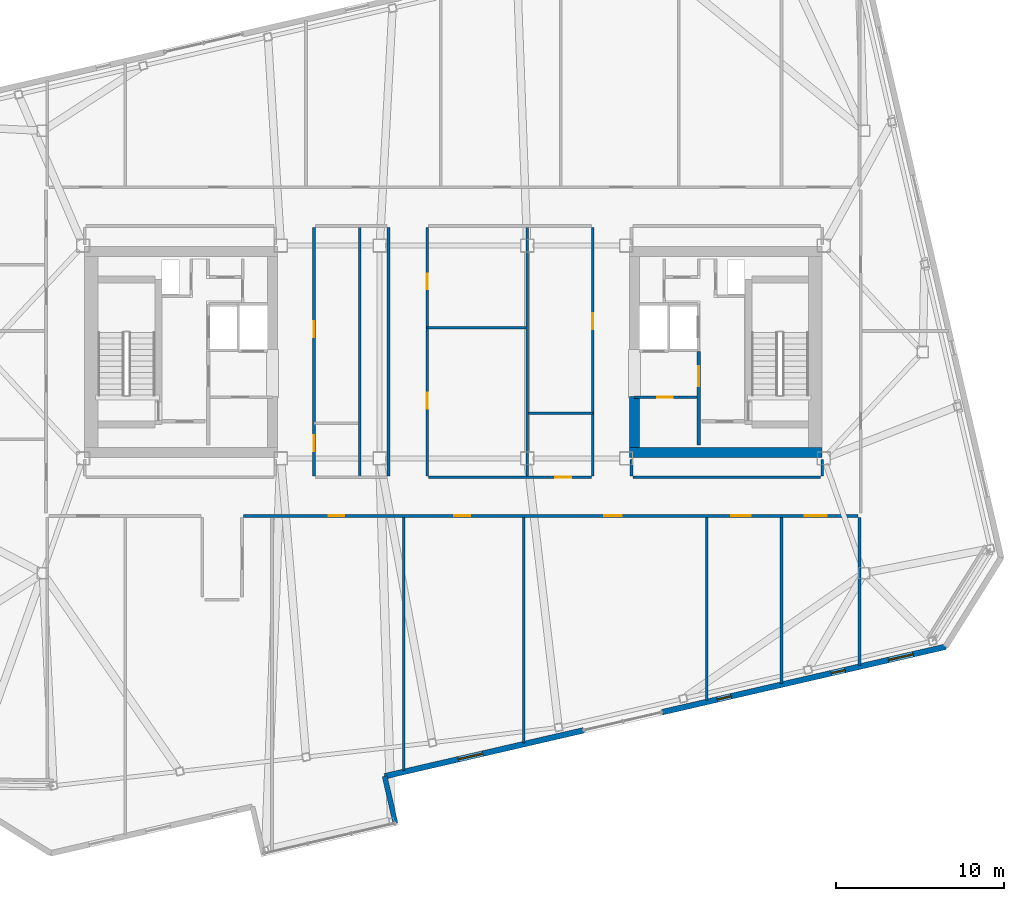
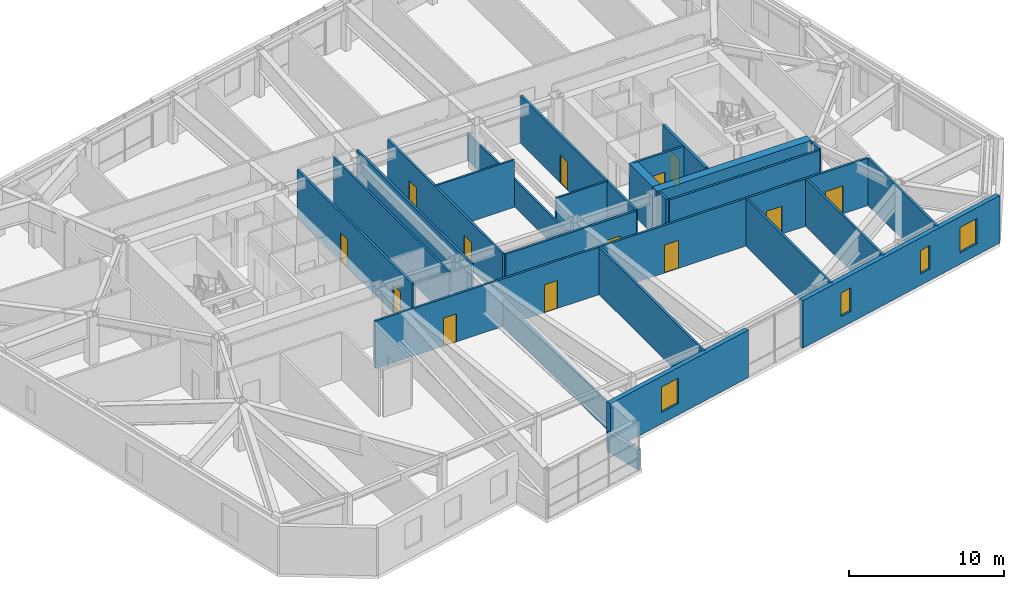
# One storey, part 17 of 23: 25 walls, 13 doors, 4 windows, 17 openings.
"""IFC4 building model written with IfcOpenShell, lengths in metres."""

from ifc_helpers import new_model, si_unit, direction, frame, frame_2d, origin, place, context, subcontext, project, spatial, rectangle, extrude, material, layer, layer_set, type_object, element, fill, save


model = new_model("IFC4")

# Units and contexts
model_context = context("Model", 3, precision=1e-05, world=origin(), true_north=direction((0.0, 1.0)))
body_context = subcontext(model_context, "Body", "Model", "MODEL_VIEW")
ifc_project = project(units=[si_unit("LENGTHUNIT", "METRE"), si_unit("AREAUNIT", "SQUARE_METRE"), si_unit("VOLUMEUNIT", "CUBIC_METRE"), si_unit("PLANEANGLEUNIT", "RADIAN"), si_unit("MASSUNIT", "GRAM", prefix="KILO")], contexts=[model_context])

# Site, building, storey
site_placement = place(None, origin())
site = spatial("IfcSite", under=ifc_project, at=site_placement, CompositionType="ELEMENT")
building_placement = place(site_placement, origin())
building = spatial("IfcBuilding", under=site, at=building_placement, Name="Tavrogorsk Clinical Tower", CompositionType="ELEMENT")
storey_placement = place(building_placement, frame((0.0, 0.0, 277.0)))
storey = spatial("IfcBuildingStorey", under=building, at=storey_placement, Name="L64", CompositionType="ELEMENT", Elevation=277.0)

# Wall, opening, door
ifc_material_1 = material(Name="Concrete B60", Category="concrete")
ifc_layer_1 = layer(ifc_material_1, 0.199951171875)
ifc_layer_set_1 = layer_set([ifc_layer_1], Name="Concrete B60")
wall_type_1 = type_object("IfcWallType", Name="CoreFireWall_200", PredefinedType="SOLIDWALL", material=ifc_layer_set_1)
wall_1_placement = place(storey_placement, frame((14.639892578125, -5.56005859375, 0.0), z_axis=(0.0, 0.0, 1.0), x_axis=(0.0, 1.0, 0.0)))
wall_1 = element("IfcWall", 1, at=wall_1_placement, inside=storey, type_object=wall_type_1, Name="L64 Core East Firefighting Lobby Fire Wall", PredefinedType="SOLIDWALL", context=body_context, shape_type="SweptSolid", body=[
    extrude(rectangle(XDim=5.60009765625, YDim=0.199951171875, at=frame_2d((2.800048828125, 0.0))), origin(), (0.0, 0.0, 1.0), 3.739990234375),
])
opening_1_placement = place(wall_1_placement, frame((3.510009765625, 0.0, 0.0)))
opening_1 = element("IfcOpeningElement", 2, at=opening_1_placement, cuts=wall_1, Name="Opening FD-01", PredefinedType="OPENING", context=body_context, shape_type="SweptSolid", body=[
    extrude(rectangle(XDim=1.199951171875, YDim=2.199951171875, at=frame_2d((0.60009765625, 1.10009765625))), frame((0.0, 0.10986328125, 0.0), z_axis=(0.0, -1.0, 0.0), x_axis=(1.0, 0.0, 0.0)), (0.0, 0.0, 1.0), 0.219970703125),
])
ifc_material_2 = material(Name="Galvanised steel fire-rated door assembly", Category="steel")
door_type_1 = type_object("IfcDoorType", Name="FireDoor_FD01_1200", OperationType="NOTDEFINED", PredefinedType="DOOR", material=ifc_material_2)
door_1_placement = place(opening_1_placement, origin())
door_1 = element("IfcDoor", 3, at=door_1_placement, inside=storey, type_object=door_type_1, Name="L64 Core East Firefighting Lobby Entry Door", OperationType="SINGLE_SWING_RIGHT", OverallHeight=2.199951171875, OverallWidth=1.199951171875, PredefinedType="DOOR", context=body_context, shape_type="SweptSolid", body=[
    extrude(rectangle(XDim=1.199951171875, YDim=2.199951171875, at=frame_2d((0.60009765625, 1.10009765625))), frame((0.0, 0.02490234375, 0.0), z_axis=(0.0, -1.0, 0.0), x_axis=(1.0, 0.0, 0.0)), (0.0, 0.0, 1.0), 0.050048828125),
])
fill(opening_1, door_1)

# Walls
ifc_material_3 = material(Name="Lightweight concrete blockwork B15", Category="masonry")
ifc_layer_2 = layer(ifc_material_3, 0.139892578125)
ifc_layer_set_2 = layer_set([ifc_layer_2], Name="Lightweight concrete blockwork B15")
wall_type_2 = type_object("IfcWallType", Name="PartitionWall_140", PredefinedType="PARTITIONING", material=ifc_layer_set_2)
wall_2_placement = place(storey_placement, frame((-5.60009765625, -7.465087890625, 0.0), z_axis=(0.0, 0.0, 1.0), x_axis=(0.0, 1.0, 0.0)))
element("IfcWall", 4, at=wall_2_placement, inside=storey, type_object=wall_type_2, Name="L64 Central Spine Partition 1", PredefinedType="PARTITIONING", context=body_context, shape_type="SweptSolid", body=[
    extrude(rectangle(XDim=14.97998046875, YDim=0.139892578125, at=frame_2d((7.489990234375, 0.0))), origin(), (0.0, 0.0, 1.0), 3.739990234375),
])
wall_3_placement = place(storey_placement, frame((4.39990234375, -7.465087890625, 0.0), z_axis=(0.0, 0.0, 1.0), x_axis=(0.0, 1.0, 0.0)))
element("IfcWall", 5, at=wall_3_placement, inside=storey, type_object=wall_type_2, Name="L64 Central Spine Partition 2", PredefinedType="PARTITIONING", context=body_context, shape_type="SweptSolid", body=[
    extrude(rectangle(XDim=14.97998046875, YDim=0.139892578125, at=frame_2d((7.489990234375, 0.0))), origin(), (0.0, 0.0, 1.0), 2.135009765625),
])
wall_4_placement = place(storey_placement, frame((-1.56494140625, 1.449951171875, 0.0), z_axis=(0.0, 0.0, 1.0), x_axis=(1.0, 0.0, 0.0)))
element("IfcWall", 6, at=wall_4_placement, inside=storey, type_object=wall_type_2, Name="L64 Central Spine Partition 3", PredefinedType="PARTITIONING", context=body_context, shape_type="SweptSolid", body=[
    extrude(rectangle(XDim=5.889892578125, YDim=0.139892578125, at=frame_2d((2.94482421875, 0.0))), origin(), (0.0, 0.0, 1.0), 3.739990234375),
])
wall_5_placement = place(storey_placement, frame((4.47509765625, -3.64990234375, 0.0), z_axis=(0.0, 0.0, 1.0), x_axis=(1.0, 0.0, 0.0)))
element("IfcWall", 7, at=wall_5_placement, inside=storey, type_object=wall_type_2, Name="L64 Central Spine Partition 5", PredefinedType="PARTITIONING", context=body_context, shape_type="SweptSolid", body=[
    extrude(rectangle(XDim=3.83984375, YDim=0.139892578125, at=frame_2d((1.919921875, 0.0))), origin(), (0.0, 0.0, 1.0), 3.739990234375),
])

# Wall, opening, door
ifc_material_4 = material(Name="Lightweight concrete blockwork B15", Category="masonry")
ifc_layer_3 = layer(ifc_material_4, 0.159912109375)
ifc_layer_set_3 = layer_set([ifc_layer_3], Name="Lightweight concrete blockwork B15")
wall_type_3 = type_object("IfcWallType", Name="PartitionWall_160", PredefinedType="PARTITIONING", material=ifc_layer_set_3)
wall_6_placement = place(storey_placement, frame((10.800048828125, -2.699951171875, 0.0), z_axis=(0.0, 0.0, 1.0), x_axis=(1.0, 0.0, 0.0)))
wall_6 = element("IfcWall", 8, at=wall_6_placement, inside=storey, type_object=wall_type_3, Name="L64 Core East Freed Mid-Bank North Partition", PredefinedType="PARTITIONING", context=body_context, shape_type="SweptSolid", body=[
    extrude(rectangle(XDim=3.73486328125, YDim=0.159912109375, at=frame_2d((1.867431640625, 0.0))), origin(), (0.0, 0.0, 1.0), 3.739990234375),
])
opening_2_placement = place(wall_6_placement, frame((1.35009765625, 0.0, 0.0)))
opening_2 = element("IfcOpeningElement", 9, at=opening_2_placement, cuts=wall_6, Name="Opening ID-02", PredefinedType="OPENING", context=body_context, shape_type="SweptSolid", body=[
    extrude(rectangle(XDim=0.949951171875, YDim=2.199951171875, at=frame_2d((0.47509765625, 1.10009765625))), frame((0.0, 0.08984375, 0.0), z_axis=(0.0, -1.0, 0.0), x_axis=(1.0, 0.0, 0.0)), (0.0, 0.0, 1.0), 0.179931640625),
])
ifc_material_5 = material(Name="Laminated timber leaf on aluminium frame", Category="wood")
door_type_2 = type_object("IfcDoorType", Name="InteriorDoor_ID02_950", OperationType="NOTDEFINED", PredefinedType="DOOR", material=ifc_material_5)
door_2_placement = place(opening_2_placement, origin())
door_2 = element("IfcDoor", 10, at=door_2_placement, inside=storey, type_object=door_type_2, Name="L64 Core East Pharmacy Prep Door", OperationType="SINGLE_SWING_LEFT", OverallHeight=2.199951171875, OverallWidth=0.949951171875, PredefinedType="DOOR", context=body_context, shape_type="SweptSolid", body=[
    extrude(rectangle(XDim=0.949951171875, YDim=2.199951171875, at=frame_2d((0.47509765625, 1.10009765625))), frame((0.0, 0.02490234375, 0.0), z_axis=(0.0, -1.0, 0.0), x_axis=(1.0, 0.0, 0.0)), (0.0, 0.0, 1.0), 0.050048828125),
])
fill(opening_2, door_2)

# Wall, openings, doors
wall_7_placement = place(storey_placement, frame((24.14501953125, -9.780029296875, 0.0), z_axis=(0.0, 0.0, 1.0), x_axis=(-1.0, 0.0, 0.0)))
wall_7 = element("IfcWall", 11, at=wall_7_placement, inside=storey, type_object=wall_type_3, Name="L64 Corridor Partition 04", PredefinedType="PARTITIONING", context=body_context, shape_type="SweptSolid", body=[
    extrude(rectangle(XDim=36.679931640625, YDim=0.159912109375, at=frame_2d((18.33984375, 0.0))), origin(), (0.0, 0.0, 1.0), 3.739990234375),
])
opening_3_placement = place(wall_7_placement, frame((30.646484375, 0.0, 0.0)))
opening_3 = element("IfcOpeningElement", 12, at=opening_3_placement, cuts=wall_7, Name="Opening ID-02", PredefinedType="OPENING", context=body_context, shape_type="SweptSolid", body=[
    extrude(rectangle(XDim=0.949951171875, YDim=2.199951171875, at=frame_2d((0.47509765625, 1.10009765625))), frame((0.0, 0.08984375, 0.0), z_axis=(0.0, -1.0, 0.0), x_axis=(1.0, 0.0, 0.0)), (0.0, 0.0, 1.0), 0.179931640625),
])
opening_4_placement = place(wall_7_placement, frame((23.135986328125, 0.0, 0.0)))
opening_4 = element("IfcOpeningElement", 13, at=opening_4_placement, cuts=wall_7, Name="Opening ID-02", PredefinedType="OPENING", context=body_context, shape_type="SweptSolid", body=[
    extrude(rectangle(XDim=0.949951171875, YDim=2.199951171875, at=frame_2d((0.47509765625, 1.10009765625))), frame((0.0, 0.08984375, 0.0), z_axis=(0.0, -1.0, 0.0), x_axis=(1.0, 0.0, 0.0)), (0.0, 0.0, 1.0), 0.179931640625),
])
opening_5_placement = place(wall_7_placement, frame((14.094970703125, 0.0, 0.0)))
opening_5 = element("IfcOpeningElement", 14, at=opening_5_placement, cuts=wall_7, Name="Opening ID-04", PredefinedType="OPENING", context=body_context, shape_type="SweptSolid", body=[
    extrude(rectangle(XDim=1.050048828125, YDim=2.199951171875, at=frame_2d((0.52490234375, 1.10009765625))), frame((0.0, 0.08984375, 0.0), z_axis=(0.0, -1.0, 0.0), x_axis=(1.0, 0.0, 0.0)), (0.0, 0.0, 1.0), 0.179931640625),
])
opening_6_placement = place(wall_7_placement, frame((6.405029296875, 0.0, 0.0)))
opening_6 = element("IfcOpeningElement", 15, at=opening_6_placement, cuts=wall_7, Name="Opening ID-06", PredefinedType="OPENING", context=body_context, shape_type="SweptSolid", body=[
    extrude(rectangle(XDim=1.14990234375, YDim=2.199951171875, at=frame_2d((0.574951171875, 1.10009765625))), frame((0.0, 0.08984375, 0.0), z_axis=(0.0, -1.0, 0.0), x_axis=(1.0, 0.0, 0.0)), (0.0, 0.0, 1.0), 0.179931640625),
])
opening_7_placement = place(wall_7_placement, frame((1.869140625, 0.0, 0.0)))
opening_7 = element("IfcOpeningElement", 16, at=opening_7_placement, cuts=wall_7, Name="Opening ID-01", PredefinedType="OPENING", context=body_context, shape_type="SweptSolid", body=[
    extrude(rectangle(XDim=1.300048828125, YDim=2.199951171875, at=frame_2d((0.64990234375, 1.10009765625))), frame((0.0, 0.08984375, 0.0), z_axis=(0.0, -1.0, 0.0), x_axis=(1.0, 0.0, 0.0)), (0.0, 0.0, 1.0), 0.179931640625),
])
ifc_material_6 = material(Name="Antibacterial HPL consultation door on aluminium frame", Category="aluminium")
door_type_3 = type_object("IfcDoorType", Name="ConsultDoor_ID04_1050", OperationType="NOTDEFINED", PredefinedType="DOOR", material=ifc_material_6)
door_3_placement = place(opening_5_placement, origin())
door_3 = element("IfcDoor", 17, at=door_3_placement, inside=storey, type_object=door_type_3, Name="L64 South Clinical Case Seminar Room 04 Door", OperationType="SINGLE_SWING_RIGHT", OverallHeight=2.199951171875, OverallWidth=1.050048828125, PredefinedType="DOOR", context=body_context, shape_type="SweptSolid", body=[
    extrude(rectangle(XDim=1.050048828125, YDim=2.199951171875, at=frame_2d((0.52490234375, 1.10009765625))), frame((0.0, 0.02490234375, 0.0), z_axis=(0.0, -1.0, 0.0), x_axis=(1.0, 0.0, 0.0)), (0.0, 0.0, 1.0), 0.050048828125),
])
fill(opening_5, door_3)
door_4_placement = place(opening_3_placement, origin())
door_4 = element("IfcDoor", 18, at=door_4_placement, inside=storey, type_object=door_type_2, Name="L64 South Clean Medication & Prep Room 02B Door", OperationType="SINGLE_SWING_RIGHT", OverallHeight=2.199951171875, OverallWidth=0.949951171875, PredefinedType="DOOR", context=body_context, shape_type="SweptSolid", body=[
    extrude(rectangle(XDim=0.949951171875, YDim=2.199951171875, at=frame_2d((0.47509765625, 1.10009765625))), frame((0.0, 0.02490234375, 0.0), z_axis=(0.0, -1.0, 0.0), x_axis=(1.0, 0.0, 0.0)), (0.0, 0.0, 1.0), 0.050048828125),
])
fill(opening_3, door_4)
door_5_placement = place(opening_4_placement, origin())
door_5 = element("IfcDoor", 19, at=door_5_placement, inside=storey, type_object=door_type_2, Name="L64 South Soiled Utility & Sluice Room 03 Door", OperationType="SINGLE_SWING_LEFT", OverallHeight=2.199951171875, OverallWidth=0.949951171875, PredefinedType="DOOR", context=body_context, shape_type="SweptSolid", body=[
    extrude(rectangle(XDim=0.949951171875, YDim=2.199951171875, at=frame_2d((0.47509765625, 1.10009765625))), frame((0.0, 0.02490234375, 0.0), z_axis=(0.0, -1.0, 0.0), x_axis=(1.0, 0.0, 0.0)), (0.0, 0.0, 1.0), 0.050048828125),
])
fill(opening_4, door_5)
ifc_material_7 = material(Name="Antibacterial HPL procedure door on aluminium frame", Category="aluminium")
door_type_4 = type_object("IfcDoorType", Name="LabDoor_ID06_1150", OperationType="NOTDEFINED", PredefinedType="DOOR", material=ifc_material_7)
door_6_placement = place(opening_6_placement, origin())
door_6 = element("IfcDoor", 20, at=door_6_placement, inside=storey, type_object=door_type_4, Name="L64 South Staff Rest & Nourishment Lounge 05 Door", OperationType="SINGLE_SWING_LEFT", OverallHeight=2.199951171875, OverallWidth=1.14990234375, PredefinedType="DOOR", context=body_context, shape_type="SweptSolid", body=[
    extrude(rectangle(XDim=1.14990234375, YDim=2.199951171875, at=frame_2d((0.574951171875, 1.10009765625))), frame((0.0, 0.02490234375, 0.0), z_axis=(0.0, -1.0, 0.0), x_axis=(1.0, 0.0, 0.0)), (0.0, 0.0, 1.0), 0.050048828125),
])
fill(opening_6, door_6)
ifc_material_8 = material(Name="Antibacterial HPL medical leaf on aluminium frame", Category="aluminium")
door_type_5 = type_object("IfcDoorType", Name="WardBedDoor_ID01_1300", OperationType="NOTDEFINED", PredefinedType="DOOR", material=ifc_material_8)
door_7_placement = place(opening_7_placement, origin())
door_7 = element("IfcDoor", 21, at=door_7_placement, inside=storey, type_object=door_type_5, Name="L64 South Bariatric Observation Ward 06 Door", OperationType="SINGLE_SWING_RIGHT", OverallHeight=2.199951171875, OverallWidth=1.300048828125, PredefinedType="DOOR", context=body_context, shape_type="SweptSolid", body=[
    extrude(rectangle(XDim=1.300048828125, YDim=2.199951171875, at=frame_2d((0.64990234375, 1.10009765625))), frame((0.0, 0.02490234375, 0.0), z_axis=(0.0, -1.0, 0.0), x_axis=(1.0, 0.0, 0.0)), (0.0, 0.0, 1.0), 0.050048828125),
])
fill(opening_7, door_7)

# Walls
wall_8_placement = place(storey_placement, frame((10.6298828125, -6.419921875, 0.0), z_axis=(0.0, 0.0, 1.0), x_axis=(0.0, -1.0, 0.0)))
element("IfcWall", 22, at=wall_8_placement, inside=storey, type_object=wall_type_3, Name="L64 Corridor Partition 11", PredefinedType="PARTITIONING", context=body_context, shape_type="SweptSolid", body=[
    extrude(rectangle(XDim=0.965087890625, YDim=0.159912109375, at=frame_2d((0.482421875, 0.0))), origin(), (0.0, 0.0, 1.0), 3.739990234375),
])
wall_9_placement = place(storey_placement, frame((10.715087890625, -7.469970703125, 0.0), z_axis=(0.0, 0.0, 1.0), x_axis=(1.0, 0.0, 0.0)))
element("IfcWall", 23, at=wall_9_placement, inside=storey, type_object=wall_type_3, Name="L64 Corridor Partition 12", PredefinedType="PARTITIONING", context=body_context, shape_type="SweptSolid", body=[
    extrude(rectangle(XDim=11.199951171875, YDim=0.159912109375, at=frame_2d((5.60009765625, 0.0))), origin(), (0.0, 0.0, 1.0), 3.739990234375),
])
wall_10_placement = place(storey_placement, frame((22.0, -7.385009765625, 0.0), z_axis=(0.0, 0.0, 1.0), x_axis=(0.0, 1.0, 0.0)))
element("IfcWall", 24, at=wall_10_placement, inside=storey, type_object=wall_type_3, Name="L64 Corridor Partition 13", PredefinedType="PARTITIONING", context=body_context, shape_type="SweptSolid", body=[
    extrude(rectangle(XDim=0.965087890625, YDim=0.159912109375, at=frame_2d((0.482421875, 0.0))), origin(), (0.0, 0.0, 1.0), 3.739990234375),
])

# Wall, openings, doors
wall_11_placement = place(storey_placement, frame((-1.570068359375, 7.43505859375, 0.0), z_axis=(0.0, 0.0, 1.0), x_axis=(0.0, -1.0, 0.0)))
wall_11 = element("IfcWall", 25, at=wall_11_placement, inside=storey, type_object=wall_type_3, Name="L64 Corridor Partition 16", PredefinedType="PARTITIONING", context=body_context, shape_type="SweptSolid", body=[
    extrude(rectangle(XDim=14.820068359375, YDim=0.159912109375, at=frame_2d((7.41015625, 0.0))), origin(), (0.0, 0.0, 1.0), 3.739990234375),
])
opening_8_placement = place(wall_11_placement, frame((9.86083984375, 0.0, 0.0)))
opening_8 = element("IfcOpeningElement", 26, at=opening_8_placement, cuts=wall_11, Name="Opening ID-02", PredefinedType="OPENING", context=body_context, shape_type="SweptSolid", body=[
    extrude(rectangle(XDim=0.949951171875, YDim=2.199951171875, at=frame_2d((0.47509765625, 1.10009765625))), frame((0.0, 0.08984375, 0.0), z_axis=(0.0, -1.0, 0.0), x_axis=(1.0, 0.0, 0.0)), (0.0, 0.0, 1.0), 0.179931640625),
])
opening_9_placement = place(wall_11_placement, frame((2.754150390625, 0.0, 0.0)))
opening_9 = element("IfcOpeningElement", 27, at=opening_9_placement, cuts=wall_11, Name="Opening ID-02", PredefinedType="OPENING", context=body_context, shape_type="SweptSolid", body=[
    extrude(rectangle(XDim=0.949951171875, YDim=2.199951171875, at=frame_2d((0.47509765625, 1.10009765625))), frame((0.0, 0.08984375, 0.0), z_axis=(0.0, -1.0, 0.0), x_axis=(1.0, 0.0, 0.0)), (0.0, 0.0, 1.0), 0.179931640625),
])
door_8_placement = place(opening_8_placement, origin())
door_8 = element("IfcDoor", 28, at=door_8_placement, inside=storey, type_object=door_type_2, Name="L64 Multidisciplinary Conference Room Door", OperationType="SINGLE_SWING_LEFT", OverallHeight=2.199951171875, OverallWidth=0.949951171875, PredefinedType="DOOR", context=body_context, shape_type="SweptSolid", body=[
    extrude(rectangle(XDim=0.949951171875, YDim=2.199951171875, at=frame_2d((0.47509765625, 1.10009765625))), frame((0.0, 0.02490234375, 0.0), z_axis=(0.0, -1.0, 0.0), x_axis=(1.0, 0.0, 0.0)), (0.0, 0.0, 1.0), 0.050048828125),
])
fill(opening_8, door_8)
door_9_placement = place(opening_9_placement, origin())
door_9 = element("IfcDoor", 29, at=door_9_placement, inside=storey, type_object=door_type_2, Name="L64 Nurses' Station & Triage Hub Door", OperationType="SINGLE_SWING_RIGHT", OverallHeight=2.199951171875, OverallWidth=0.949951171875, PredefinedType="DOOR", context=body_context, shape_type="SweptSolid", body=[
    extrude(rectangle(XDim=0.949951171875, YDim=2.199951171875, at=frame_2d((0.47509765625, 1.10009765625))), frame((0.0, 0.02490234375, 0.0), z_axis=(0.0, -1.0, 0.0), x_axis=(1.0, 0.0, 0.0)), (0.0, 0.0, 1.0), 0.050048828125),
])
fill(opening_9, door_9)

# Wall, opening, door
wall_12_placement = place(storey_placement, frame((-1.485107421875, -7.469970703125, 0.0), z_axis=(0.0, 0.0, 1.0), x_axis=(1.0, 0.0, 0.0)))
wall_12 = element("IfcWall", 30, at=wall_12_placement, inside=storey, type_object=wall_type_3, Name="L64 Corridor Partition 17", PredefinedType="PARTITIONING", context=body_context, shape_type="SweptSolid", body=[
    extrude(rectangle(XDim=9.72021484375, YDim=0.159912109375, at=frame_2d((4.860107421875, 0.0))), origin(), (0.0, 0.0, 1.0), 3.739990234375),
])
opening_10_placement = place(wall_12_placement, frame((7.560791015625, 0.0, 0.0)))
opening_10 = element("IfcOpeningElement", 31, at=opening_10_placement, cuts=wall_12, Name="Opening ID-02", PredefinedType="OPENING", context=body_context, shape_type="SweptSolid", body=[
    extrude(rectangle(XDim=0.949951171875, YDim=2.199951171875, at=frame_2d((0.47509765625, 1.10009765625))), frame((0.0, 0.08984375, 0.0), z_axis=(0.0, -1.0, 0.0), x_axis=(1.0, 0.0, 0.0)), (0.0, 0.0, 1.0), 0.179931640625),
])
door_10_placement = place(opening_10_placement, origin())
door_10 = element("IfcDoor", 32, at=door_10_placement, inside=storey, type_object=door_type_2, Name="L64 Staff & Visitor Accessible WC Door", OperationType="SINGLE_SWING_LEFT", OverallHeight=2.199951171875, OverallWidth=0.949951171875, PredefinedType="DOOR", context=body_context, shape_type="SweptSolid", body=[
    extrude(rectangle(XDim=0.949951171875, YDim=2.199951171875, at=frame_2d((0.47509765625, 1.10009765625))), frame((0.0, 0.02490234375, 0.0), z_axis=(0.0, -1.0, 0.0), x_axis=(1.0, 0.0, 0.0)), (0.0, 0.0, 1.0), 0.050048828125),
])
fill(opening_10, door_10)

wall_13_placement = place(storey_placement, frame((8.320068359375, -7.385009765625, 0.0), z_axis=(0.0, 0.0, 1.0), x_axis=(0.0, 1.0, 0.0)))
wall_13 = element("IfcWall", 33, at=wall_13_placement, inside=storey, type_object=wall_type_3, Name="L64 Corridor Partition 18", PredefinedType="PARTITIONING", context=body_context, shape_type="SweptSolid", body=[
    extrude(rectangle(XDim=14.820068359375, YDim=0.159912109375, at=frame_2d((7.41015625, 0.0))), origin(), (0.0, 0.0, 1.0), 3.739990234375),
])
opening_11_placement = place(wall_13_placement, frame((8.73583984375, 0.0, 0.0)))
opening_11 = element("IfcOpeningElement", 34, at=opening_11_placement, cuts=wall_13, Name="Opening ID-02", PredefinedType="OPENING", context=body_context, shape_type="SweptSolid", body=[
    extrude(rectangle(XDim=0.949951171875, YDim=2.199951171875, at=frame_2d((0.47509765625, 1.10009765625))), frame((0.0, 0.08984375, 0.0), z_axis=(0.0, -1.0, 0.0), x_axis=(1.0, 0.0, 0.0)), (0.0, 0.0, 1.0), 0.179931640625),
])
door_11_placement = place(opening_11_placement, origin())
door_11 = element("IfcDoor", 35, at=door_11_placement, inside=storey, type_object=door_type_2, Name="L64 Attending Physician Office Door", OperationType="SINGLE_SWING_RIGHT", OverallHeight=2.199951171875, OverallWidth=0.949951171875, PredefinedType="DOOR", context=body_context, shape_type="SweptSolid", body=[
    extrude(rectangle(XDim=0.949951171875, YDim=2.199951171875, at=frame_2d((0.47509765625, 1.10009765625))), frame((0.0, 0.02490234375, 0.0), z_axis=(0.0, -1.0, 0.0), x_axis=(1.0, 0.0, 0.0)), (0.0, 0.0, 1.0), 0.050048828125),
])
fill(opening_11, door_11)

# Wall
wall_14_placement = place(storey_placement, frame((-3.8798828125, -7.385009765625, 0.0), z_axis=(0.0, 0.0, 1.0), x_axis=(0.0, 1.0, 0.0)))
element("IfcWall", 36, at=wall_14_placement, inside=storey, type_object=wall_type_3, Name="L64 Corridor Partition 19", PredefinedType="PARTITIONING", context=body_context, shape_type="SweptSolid", body=[
    extrude(rectangle(XDim=14.820068359375, YDim=0.159912109375, at=frame_2d((7.41015625, 0.0))), origin(), (0.0, 0.0, 1.0), 3.739990234375),
])

# Wall, openings, doors
wall_15_placement = place(storey_placement, frame((-8.320068359375, 7.43505859375, 0.0), z_axis=(0.0, 0.0, 1.0), x_axis=(0.0, -1.0, 0.0)))
wall_15 = element("IfcWall", 37, at=wall_15_placement, inside=storey, type_object=wall_type_3, Name="L64 Corridor Partition 21", PredefinedType="PARTITIONING", context=body_context, shape_type="SweptSolid", body=[
    extrude(rectangle(XDim=14.820068359375, YDim=0.159912109375, at=frame_2d((7.41015625, 0.0))), origin(), (0.0, 0.0, 1.0), 3.739990234375),
])
opening_12_placement = place(wall_15_placement, frame((12.410888671875, 0.0, 0.0)))
opening_12 = element("IfcOpeningElement", 38, at=opening_12_placement, cuts=wall_15, Name="Opening ID-02", PredefinedType="OPENING", context=body_context, shape_type="SweptSolid", body=[
    extrude(rectangle(XDim=0.949951171875, YDim=2.199951171875, at=frame_2d((0.47509765625, 1.10009765625))), frame((0.0, 0.08984375, 0.0), z_axis=(0.0, -1.0, 0.0), x_axis=(1.0, 0.0, 0.0)), (0.0, 0.0, 1.0), 0.179931640625),
])
opening_13_placement = place(wall_15_placement, frame((5.60400390625, 0.0, 0.0)))
opening_13 = element("IfcOpeningElement", 39, at=opening_13_placement, cuts=wall_15, Name="Opening ID-02", PredefinedType="OPENING", context=body_context, shape_type="SweptSolid", body=[
    extrude(rectangle(XDim=0.949951171875, YDim=2.199951171875, at=frame_2d((0.47509765625, 1.10009765625))), frame((0.0, 0.08984375, 0.0), z_axis=(0.0, -1.0, 0.0), x_axis=(1.0, 0.0, 0.0)), (0.0, 0.0, 1.0), 0.179931640625),
])
door_12_placement = place(opening_12_placement, origin())
door_12 = element("IfcDoor", 40, at=door_12_placement, inside=storey, type_object=door_type_2, Name="L64 Accessible Patient Lavatory Door", OperationType="SINGLE_SWING_LEFT", OverallHeight=2.199951171875, OverallWidth=0.949951171875, PredefinedType="DOOR", context=body_context, shape_type="SweptSolid", body=[
    extrude(rectangle(XDim=0.949951171875, YDim=2.199951171875, at=frame_2d((0.47509765625, 1.10009765625))), frame((0.0, 0.02490234375, 0.0), z_axis=(0.0, -1.0, 0.0), x_axis=(1.0, 0.0, 0.0)), (0.0, 0.0, 1.0), 0.050048828125),
])
fill(opening_12, door_12)
door_13_placement = place(opening_13_placement, origin())
door_13 = element("IfcDoor", 41, at=door_13_placement, inside=storey, type_object=door_type_2, Name="L64 Ward Nourishment Pantry Door", OperationType="SINGLE_SWING_RIGHT", OverallHeight=2.199951171875, OverallWidth=0.949951171875, PredefinedType="DOOR", context=body_context, shape_type="SweptSolid", body=[
    extrude(rectangle(XDim=0.949951171875, YDim=2.199951171875, at=frame_2d((0.47509765625, 1.10009765625))), frame((0.0, 0.02490234375, 0.0), z_axis=(0.0, -1.0, 0.0), x_axis=(1.0, 0.0, 0.0)), (0.0, 0.0, 1.0), 0.050048828125),
])
fill(opening_13, door_13)

# Walls
wall_16_placement = place(storey_placement, frame((24.22998046875, -18.702880859375, 0.0), z_axis=(0.0, 0.0, 1.0), x_axis=(0.0, 1.0, 0.0)))
element("IfcWall", 42, at=wall_16_placement, inside=storey, type_object=wall_type_3, Name="L64 SE Wing Closure Partition", PredefinedType="PARTITIONING", context=body_context, shape_type="SweptSolid", body=[
    extrude(rectangle(XDim=8.837890625, YDim=0.159912109375, at=frame_2d((4.4189453125, 0.0))), origin(), (0.0, 0.0, 1.0), 3.739990234375),
])
wall_17_placement = place(storey_placement, frame((-2.9619140625, -24.98046875, 0.0), z_axis=(0.0, 0.0, 1.0), x_axis=(0.0, 1.0, 0.0)))
element("IfcWall", 43, at=wall_17_placement, inside=storey, type_object=wall_type_3, Name="L64 South Room Partition 2", PredefinedType="PARTITIONING", context=body_context, shape_type="SweptSolid", body=[
    extrude(rectangle(XDim=15.115478515625, YDim=0.159912109375, at=frame_2d((7.5576171875, 0.0))), origin(), (0.0, 0.0, 1.0), 2.135009765625),
])
wall_18_placement = place(storey_placement, frame((4.199951171875, -23.3271484375, 0.0), z_axis=(0.0, 0.0, 1.0), x_axis=(0.0, 1.0, 0.0)))
element("IfcWall", 44, at=wall_18_placement, inside=storey, type_object=wall_type_3, Name="L64 South Room Partition 3", PredefinedType="PARTITIONING", context=body_context, shape_type="SweptSolid", body=[
    extrude(rectangle(XDim=13.462158203125, YDim=0.159912109375, at=frame_2d((6.73095703125, 0.0))), origin(), (0.0, 0.0, 1.0), 3.739990234375),
])
wall_19_placement = place(storey_placement, frame((15.1201171875, -20.805908203125, 0.0), z_axis=(0.0, 0.0, 1.0), x_axis=(0.0, 1.0, 0.0)))
element("IfcWall", 45, at=wall_19_placement, inside=storey, type_object=wall_type_3, Name="L64 South Room Partition 4", PredefinedType="PARTITIONING", context=body_context, shape_type="SweptSolid", body=[
    extrude(rectangle(XDim=10.94091796875, YDim=0.159912109375, at=frame_2d((5.470458984375, 0.0))), origin(), (0.0, 0.0, 1.0), 3.739990234375),
])
wall_20_placement = place(storey_placement, frame((19.580078125, -19.7763671875, 0.0), z_axis=(0.0, 0.0, 1.0), x_axis=(0.0, 1.0, 0.0)))
element("IfcWall", 46, at=wall_20_placement, inside=storey, type_object=wall_type_3, Name="L64 South Room Partition 5", PredefinedType="PARTITIONING", context=body_context, shape_type="SweptSolid", body=[
    extrude(rectangle(XDim=9.911376953125, YDim=0.159912109375, at=frame_2d((4.95556640625, 0.0))), origin(), (0.0, 0.0, 1.0), 3.739990234375),
])

# Wall, opening, window
ifc_material_9 = material(Name="Precast concrete B45 with limestone cladding", Category="masonry")
ifc_layer_4 = layer(ifc_material_9, 0.340087890625)
ifc_layer_set_4 = layer_set([ifc_layer_4], Name="Precast concrete B45 with limestone cladding")
wall_type_4 = type_object("IfcWallType", Name="PrecastLimestoneWall_340", PredefinedType="STANDARD", material=ifc_layer_set_4)
wall_21_placement = place(storey_placement, frame((-4.103759765625, -25.31591796875, 0.0), z_axis=(0.0, 0.0, 1.0), x_axis=(0.974372956312, 0.224938529398, 0.0)))
wall_21 = element("IfcWall", 47, at=wall_21_placement, inside=storey, type_object=wall_type_4, Name="L64 S Limestone Facade Wall 2", PredefinedType="STANDARD", context=body_context, shape_type="SweptSolid", body=[
    extrude(rectangle(XDim=12.184326171875, YDim=0.340087890625, at=frame_2d((6.09228515625, 0.0))), origin(), (0.0, 0.0, 1.0), 3.739990234375),
])
opening_14_placement = place(wall_21_placement, frame((4.510986328125, 0.0, 0.89990234375)))
opening_14 = element("IfcOpeningElement", 48, at=opening_14_placement, cuts=wall_21, Name="Opening WN-05", PredefinedType="OPENING", context=body_context, shape_type="SweptSolid", body=[
    extrude(rectangle(XDim=1.5, YDim=2.0, at=frame_2d((0.75, 1.0))), frame((0.0, 0.179931640625, 0.0), z_axis=(0.0, -1.0, 0.0), x_axis=(1.0, 0.0, 0.0)), (0.0, 0.0, 1.0), 0.360107421875),
])
ifc_material_10 = material(Name="Thermally broken aluminium frame and triple IGU", Category="aluminium")
window_type_1 = type_object("IfcWindowType", Name="ConsultWin_1500x2000", PartitioningType="SINGLE_PANEL", PredefinedType="WINDOW", material=ifc_material_10)
window_1_placement = place(opening_14_placement, origin())
window_1 = element("IfcWindow", 49, at=window_1_placement, inside=storey, type_object=window_type_1, Name="L64 S Chicago Window 05", OverallHeight=2.0, OverallWidth=1.5, PartitioningType="SINGLE_PANEL", PredefinedType="WINDOW", context=body_context, shape_type="SweptSolid", body=[
    extrude(rectangle(XDim=1.5, YDim=2.0, at=frame_2d((0.75, 1.0))), frame((0.0, 0.030029296875, 0.0), z_axis=(0.0, -1.0, 0.0), x_axis=(1.0, 0.0, 0.0)), (0.0, 0.0, 1.0), 0.06005859375),
])
fill(opening_14, window_1)

# Wall, openings, windows
wall_22_placement = place(storey_placement, frame((12.4453125, -21.495361328125, 0.0), z_axis=(0.0, 0.0, 1.0), x_axis=(0.974369392164, 0.224953967767, 0.0)))
wall_22 = element("IfcWall", 50, at=wall_22_placement, inside=storey, type_object=wall_type_4, Name="L64 S Limestone Facade Wall 3", PredefinedType="STANDARD", context=body_context, shape_type="SweptSolid", body=[
    extrude(rectangle(XDim=17.36572265625, YDim=0.340087890625, at=frame_2d((8.682861328125, 0.0))), origin(), (0.0, 0.0, 1.0), 3.739990234375),
])
opening_15_placement = place(wall_22_placement, frame((3.37841796875, 0.0, 0.89990234375)))
opening_15 = element("IfcOpeningElement", 51, at=opening_15_placement, cuts=wall_22, Name="Opening WN-06", PredefinedType="OPENING", context=body_context, shape_type="SweptSolid", body=[
    extrude(rectangle(XDim=0.85009765625, YDim=1.85009765625, at=frame_2d((0.425048828125, 0.925048828125))), frame((0.0, 0.179931640625, 0.0), z_axis=(0.0, -1.0, 0.0), x_axis=(1.0, 0.0, 0.0)), (0.0, 0.0, 1.0), 0.360107421875),
])
opening_16_placement = place(wall_22_placement, frame((10.36279296875, 0.0, 0.89990234375)))
opening_16 = element("IfcOpeningElement", 52, at=opening_16_placement, cuts=wall_22, Name="Opening WN-06", PredefinedType="OPENING", context=body_context, shape_type="SweptSolid", body=[
    extrude(rectangle(XDim=0.85009765625, YDim=1.85009765625, at=frame_2d((0.425048828125, 0.925048828125))), frame((0.0, 0.179931640625, 0.0), z_axis=(0.0, -1.0, 0.0), x_axis=(1.0, 0.0, 0.0)), (0.0, 0.0, 1.0), 0.360107421875),
])
opening_17_placement = place(wall_22_placement, frame((13.87451171875, 0.0, 0.89990234375)))
opening_17 = element("IfcOpeningElement", 53, at=opening_17_placement, cuts=wall_22, Name="Opening WN-05", PredefinedType="OPENING", context=body_context, shape_type="SweptSolid", body=[
    extrude(rectangle(XDim=1.5, YDim=2.0, at=frame_2d((0.75, 1.0))), frame((0.0, 0.179931640625, 0.0), z_axis=(0.0, -1.0, 0.0), x_axis=(1.0, 0.0, 0.0)), (0.0, 0.0, 1.0), 0.360107421875),
])
window_2_placement = place(opening_17_placement, origin())
window_2 = element("IfcWindow", 54, at=window_2_placement, inside=storey, type_object=window_type_1, Name="L64 S Chicago Window 10", OverallHeight=2.0, OverallWidth=1.5, PartitioningType="SINGLE_PANEL", PredefinedType="WINDOW", context=body_context, shape_type="SweptSolid", body=[
    extrude(rectangle(XDim=1.5, YDim=2.0, at=frame_2d((0.75, 1.0))), frame((0.0, 0.030029296875, 0.0), z_axis=(0.0, -1.0, 0.0), x_axis=(1.0, 0.0, 0.0)), (0.0, 0.0, 1.0), 0.06005859375),
])
fill(opening_17, window_2)
ifc_material_11 = material(Name="Thermally broken aluminium frame and triple IGU", Category="aluminium")
window_type_2 = type_object("IfcWindowType", Name="MullionSubWin_850x1850", PartitioningType="SINGLE_PANEL", PredefinedType="WINDOW", material=ifc_material_11)
window_3_placement = place(opening_15_placement, origin())
window_3 = element("IfcWindow", 55, at=window_3_placement, inside=storey, type_object=window_type_2, Name="L64 S Mullion Split Window 07B", OverallHeight=1.85009765625, OverallWidth=0.85009765625, PartitioningType="SINGLE_PANEL", PredefinedType="WINDOW", context=body_context, shape_type="SweptSolid", body=[
    extrude(rectangle(XDim=0.85009765625, YDim=1.85009765625, at=frame_2d((0.425048828125, 0.925048828125))), frame((0.0, 0.030029296875, 0.0), z_axis=(0.0, -1.0, 0.0), x_axis=(1.0, 0.0, 0.0)), (0.0, 0.0, 1.0), 0.06005859375),
])
fill(opening_15, window_3)
window_4_placement = place(opening_16_placement, origin())
window_4 = element("IfcWindow", 56, at=window_4_placement, inside=storey, type_object=window_type_2, Name="L64 S Mullion Split Window 09A", OverallHeight=1.85009765625, OverallWidth=0.85009765625, PartitioningType="SINGLE_PANEL", PredefinedType="WINDOW", context=body_context, shape_type="SweptSolid", body=[
    extrude(rectangle(XDim=0.85009765625, YDim=1.85009765625, at=frame_2d((0.425048828125, 0.925048828125))), frame((0.0, 0.030029296875, 0.0), z_axis=(0.0, -1.0, 0.0), x_axis=(1.0, 0.0, 0.0)), (0.0, 0.0, 1.0), 0.06005859375),
])
fill(opening_16, window_4)

# Walls
ifc_material_12 = material(Name="Concrete B80", Category="concrete")
ifc_layer_5 = layer(ifc_material_12, 0.60009765625)
ifc_layer_set_5 = layer_set([ifc_layer_5], Name="Concrete B80")
wall_type_5 = type_object("IfcWallType", Name="ShearWall_600", PredefinedType="SHEAR", material=ifc_layer_set_5)
wall_23_placement = place(storey_placement, frame((10.5, -6.0, 0.0), z_axis=(0.0, 0.0, 1.0), x_axis=(1.0, 0.0, 0.0)))
element("IfcWall", 57, at=wall_23_placement, inside=storey, type_object=wall_type_5, Name="L64 Core East South Shear Wall", PredefinedType="SHEAR", context=body_context, shape_type="SweptSolid", body=[
    extrude(rectangle(XDim=11.5, YDim=0.60009765625, at=frame_2d((5.75, 0.0))), origin(), (0.0, 0.0, 1.0), 3.739990234375),
])
wall_24_placement = place(storey_placement, frame((10.800048828125, -5.699951171875, 0.0), z_axis=(0.0, 0.0, 1.0), x_axis=(0.0, 1.0, 0.0)))
element("IfcWall", 58, at=wall_24_placement, inside=storey, type_object=wall_type_5, Name="L64 Core East Inner South Pier", PredefinedType="SHEAR", context=body_context, shape_type="SweptSolid", body=[
    extrude(rectangle(XDim=3.050048828125, YDim=0.60009765625, at=frame_2d((1.52490234375, 0.0))), origin(), (0.0, 0.0, 1.0), 3.739990234375),
])
ifc_material_13 = material(Name="Precast concrete B45 with mineral wool", Category="concrete")
ifc_layer_6 = layer(ifc_material_13, 0.300048828125)
ifc_layer_set_6 = layer_set([ifc_layer_6], Name="Precast concrete B45 with mineral wool")
wall_type_6 = type_object("IfcWallType", Name="SpandrelBackWall_300", PredefinedType="STANDARD", material=ifc_layer_set_6)
wall_25_placement = place(storey_placement, frame((-4.103759765625, -25.31591796875, 0.0), z_axis=(0.0, 0.0, 1.0), x_axis=(0.225002397841, -0.97435820978, 0.0)))
element("IfcWall", 59, at=wall_25_placement, inside=storey, type_object=wall_type_6, Name="L64 Day-Room Cheek Wall DRB-09-R", PredefinedType="STANDARD", context=body_context, shape_type="SweptSolid", body=[
    extrude(rectangle(XDim=2.869873046875, YDim=0.300048828125, at=frame_2d((1.43505859375, 0.0))), origin(), (0.0, 0.0, 1.0), 1.534912109375),
])

save(model, "model.ifc")
